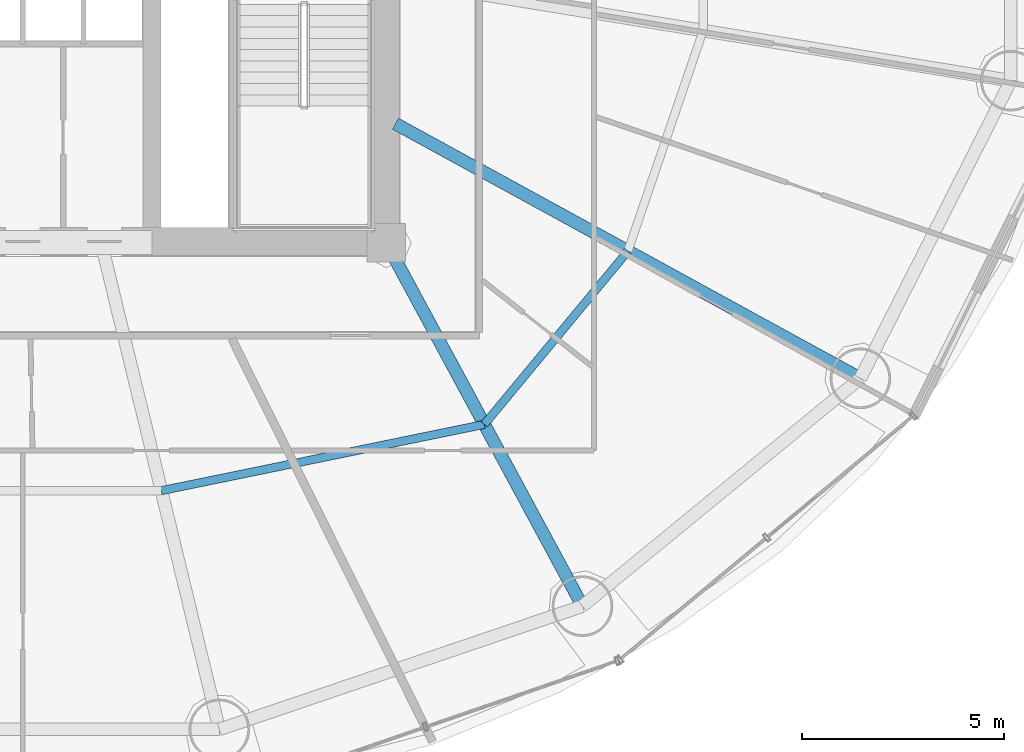
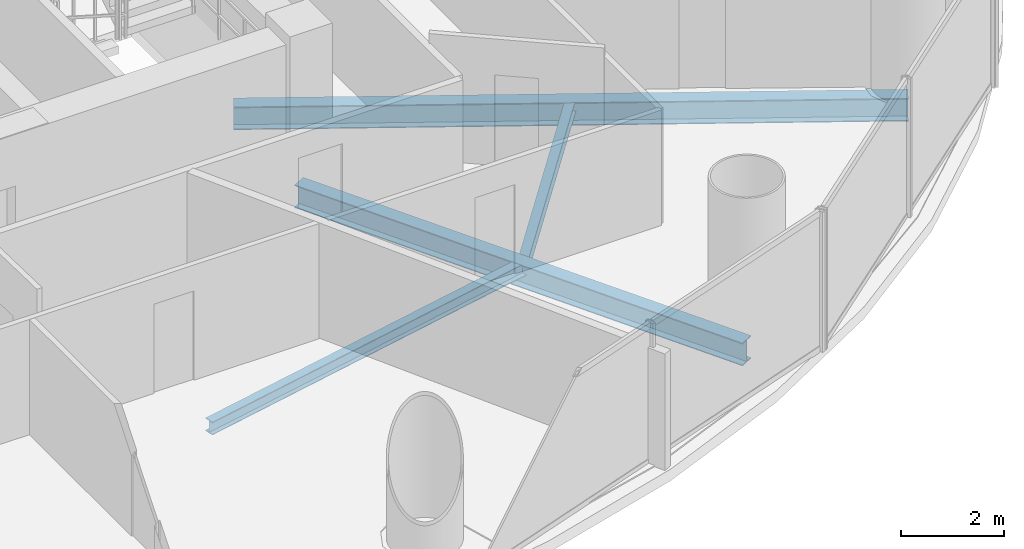
# One storey, part 11 of 28: 4 beams.
"""IFC4 building model written with IfcOpenShell, lengths in metres."""

from ifc_helpers import new_model, si_unit, direction, frame, origin, origin_2d, place, context, subcontext, project, spatial, i_section, extrude, material, material_profile, profile_set, type_object, element, save


model = new_model("IFC4")

# Units and contexts
model_context = context("Model", 3, precision=1e-05, world=origin(), true_north=direction((-0.2419218956, 0.970295726276)))
body_context = subcontext(model_context, "Body", "Model", "MODEL_VIEW")
ifc_project = project(units=[si_unit("LENGTHUNIT", "METRE"), si_unit("AREAUNIT", "SQUARE_METRE"), si_unit("VOLUMEUNIT", "CUBIC_METRE"), si_unit("PLANEANGLEUNIT", "RADIAN"), si_unit("MASSUNIT", "GRAM", prefix="KILO")], contexts=[model_context])

# Site, building, storey
site_placement = place(None, origin())
site = spatial("IfcSite", under=ifc_project, at=site_placement, CompositionType="ELEMENT")
building_placement = place(site_placement, origin())
building = spatial("IfcBuilding", under=site, at=building_placement, Name="Cobrevalo Terracotta Tower", CompositionType="ELEMENT")
storey_placement = place(building_placement, frame((0.0, 0.0, 105.0)))
storey = spatial("IfcBuildingStorey", under=building, at=storey_placement, Name="L27", CompositionType="ELEMENT", Elevation=105.0)

# Beams
ifc_material = material(Name="Steel S355", Category="steel")
ifc_material_profile_1 = material_profile(ifc_material, i_section(OverallWidth=0.31201171875, OverallDepth=0.54296875, WebThickness=0.0126953125, FlangeThickness=0.020263671875, at=origin_2d()), Name="W 530x150")
ifc_profile_set_1 = profile_set([ifc_material_profile_1], Name="Steel S355")
beam_type_1 = type_object("IfcBeamType", Name="Structural Beam W 530x150 (Steel S355)", PredefinedType="BEAM", material=ifc_profile_set_1)
beam_1_placement = place(storey_placement, frame((51.861572265625, 9.79638671875, -0.54638671875), z_axis=(-0.475118249298, 0.879921956303, 0.0), x_axis=(-0.879921956303, -0.475118249298, 0.0)))
element("IfcBeam", 1, at=beam_1_placement, inside=storey, type_object=beam_type_1, Name="L27 radial floor girder 14", PredefinedType="BEAM", context=body_context, shape_type="SweptSolid", body=[
    extrude(i_section(OverallWidth=0.31201171875, OverallDepth=0.54296875, WebThickness=0.0126953125, FlangeThickness=0.020263671875, at=origin_2d()), origin(), (0.0, 0.0, 1.0), 10.232421875),
])
beam_2_placement = place(storey_placement, frame((58.7451171875, 15.4384765625, -0.54638671875), z_axis=(-0.877072765004, 0.480357538599, 0.0), x_axis=(-0.480357538599, -0.877072765004, 0.0)))
element("IfcBeam", 2, at=beam_2_placement, inside=storey, type_object=beam_type_1, Name="L27 radial floor girder 15", PredefinedType="BEAM", context=body_context, shape_type="SweptSolid", body=[
    extrude(i_section(OverallWidth=0.31201171875, OverallDepth=0.54296875, WebThickness=0.0126953125, FlangeThickness=0.020263671875, at=origin_2d()), origin(), (0.0, 0.0, 1.0), 13.129150390625),
])
ifc_material_profile_2 = material_profile(ifc_material, i_section(OverallWidth=0.2041015625, OverallDepth=0.305908203125, WebThickness=0.008544921875, FlangeThickness=0.0146484375, at=origin_2d()), Name="W 310x67")
ifc_profile_set_2 = profile_set([ifc_material_profile_2], Name="Steel S355")
beam_type_2 = type_object("IfcBeamType", Name="Structural Joist W 310x67 (Steel S355)", PredefinedType="JOIST", material=ifc_profile_set_2)
beam_3_placement = place(storey_placement, frame((41.432373046875, 12.656494140625, -0.427978515625), z_axis=(0.979574469315, 0.201081722357, 0.0), x_axis=(-0.201081722357, 0.979574469315, 0.0)))
element("IfcBeam", 3, at=beam_3_placement, inside=storey, type_object=beam_type_2, Name="L27 circumferential secondary floor joist 13", PredefinedType="JOIST", context=body_context, shape_type="SweptSolid", body=[
    extrude(i_section(OverallWidth=0.2041015625, OverallDepth=0.305908203125, WebThickness=0.008544921875, FlangeThickness=0.0146484375, at=origin_2d()), origin(), (0.0, 0.0, 1.0), 8.1650390625),
])
beam_4_placement = place(storey_placement, frame((49.4306640625, 14.29833984375, -0.427978515625), z_axis=(0.6379592588, 0.77007011636, 0.0), x_axis=(-0.77007011636, 0.6379592588, 0.0)))
element("IfcBeam", 4, at=beam_4_placement, inside=storey, type_object=beam_type_2, Name="L27 circumferential secondary floor joist 14", PredefinedType="JOIST", context=body_context, shape_type="SweptSolid", body=[
    extrude(i_section(OverallWidth=0.2041015625, OverallDepth=0.305908203125, WebThickness=0.008544921875, FlangeThickness=0.0146484375, at=origin_2d()), origin(), (0.0, 0.0, 1.0), 5.575439453125),
])

save(model, "model.ifc")
